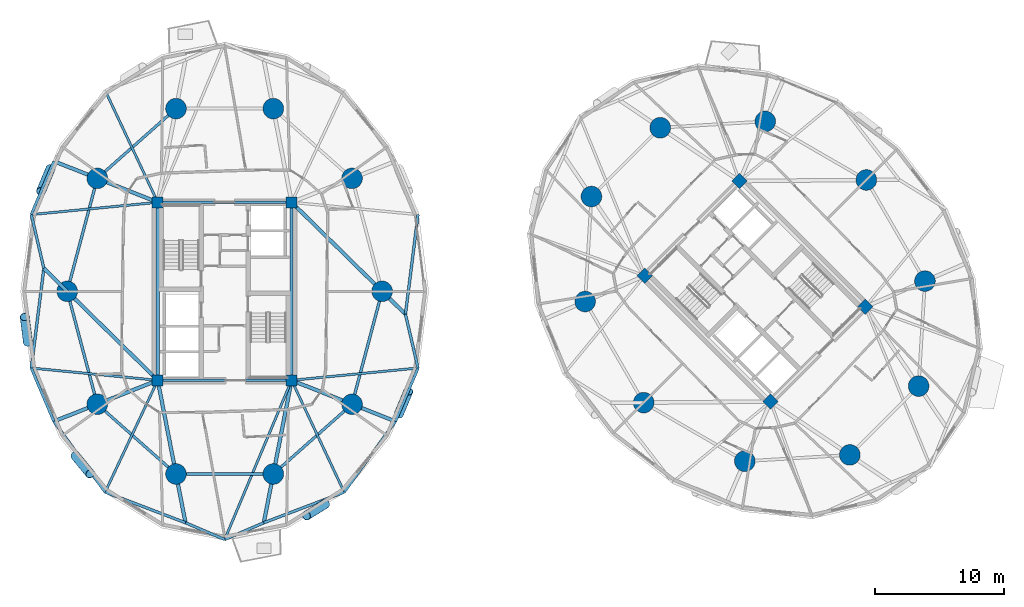
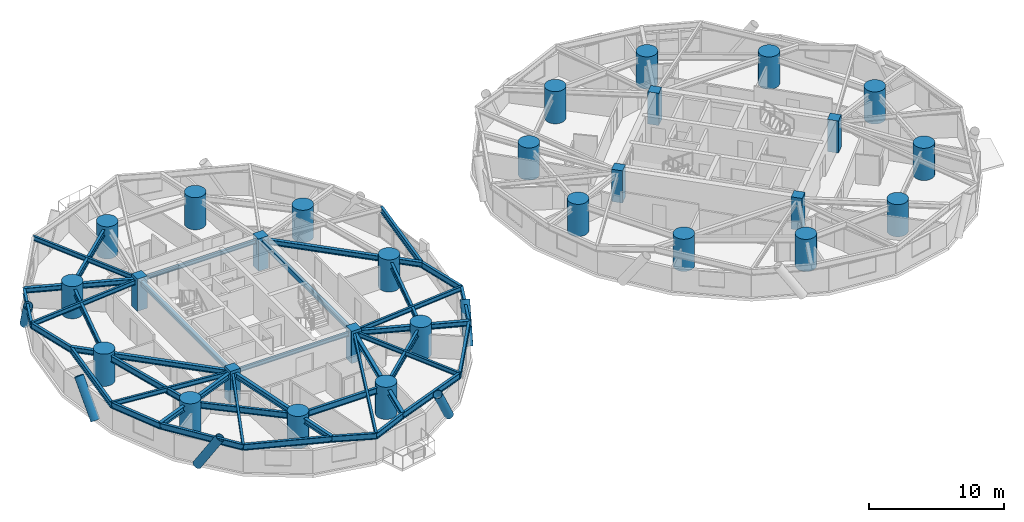
# One storey, part 1 of 19: 39 beams, 28 columns, 5 members.
"""IFC4 building model written with IfcOpenShell, lengths in metres."""

from ifc_helpers import new_model, si_unit, direction, frame, origin, origin_2d, place, context, subcontext, project, spatial, rectangle, hollow_rectangle, circle, hollow_circle, i_section, extrude, material, material_profile, profile_set, type_object, element, save


model = new_model("IFC4")

# Units and contexts
model_context = context("Model", 3, precision=1e-05, world=origin(), true_north=direction((0.0, 1.0)))
body_context = subcontext(model_context, "Body", "Model", "MODEL_VIEW")
ifc_project = project(units=[si_unit("LENGTHUNIT", "METRE"), si_unit("AREAUNIT", "SQUARE_METRE"), si_unit("VOLUMEUNIT", "CUBIC_METRE"), si_unit("PLANEANGLEUNIT", "RADIAN"), si_unit("MASSUNIT", "GRAM", prefix="KILO")], contexts=[model_context])

# Site, building, storey
site_placement = place(None, origin())
site = spatial("IfcSite", under=ifc_project, at=site_placement, CompositionType="ELEMENT")
building_placement = place(site_placement, origin())
building = spatial("IfcBuilding", under=site, at=building_placement, Name="Cununo Teusaquillo Station Towers", CompositionType="ELEMENT")
storey_placement = place(building_placement, frame((0.0, 0.0, 33.639892578125)))
storey = spatial("IfcBuildingStorey", under=building, at=storey_placement, Name="L09", CompositionType="ELEMENT", Elevation=33.639892578125)

# Columns
ifc_material_1 = material(Name="Concrete C50/60", Category="concrete")
ifc_material_profile_1 = material_profile(ifc_material_1, rectangle(XDim=0.85009765625, YDim=0.85009765625, at=origin_2d()), Name="RC-RECT-850x850")
ifc_profile_set_1 = profile_set([ifc_material_profile_1], Name="Concrete C50/60")
column_type_1 = type_object("IfcColumnType", Name="COL-CORE-Z1", PredefinedType="COLUMN", material=ifc_profile_set_1)
for number, where, z_axis, x_axis, name in (
    (1, (11.324951171875, 17.6201171875, 0.0), (0.0, 0.0, 1.0), (1.0, 0.0, 0.0), "L09 Tower A Core Column 1"),
    (2, (11.324951171875, 31.3798828125, 0.0), (0.0, 0.0, 1.0), (1.0, 0.0, 0.0), "L09 Tower A Core Column 2"),
    (3, (21.675048828125, 17.6201171875, 0.0), (0.0, 0.0, 1.0), (1.0, 0.0, 0.0), "L09 Tower A Core Column 3"),
    (4, (21.675048828125, 31.3798828125, 0.0), (0.0, 0.0, 1.0), (1.0, 0.0, 0.0), "L09 Tower A Core Column 4"),
    (5, (58.70556640625, 15.975830078125, 0.0), (0.0, 0.0, 1.0), (0.707106781187, 0.707106781187, 0.0), "L09 Tower B Core Column 1"),
    (6, (48.975830078125, 25.70556640625, 0.0), (0.0, 0.0, 1.0), (0.707106781187, 0.707106781187, 0.0), "L09 Tower B Core Column 2"),
    (7, (66.024169921875, 23.29443359375, 0.0), (0.0, 0.0, 1.0), (0.707106781187, 0.707106781187, 0.0), "L09 Tower B Core Column 3"),
    (8, (56.29443359375, 33.024169921875, 0.0), (0.0, 0.0, 1.0), (0.707106781187, 0.707106781187, 0.0), "L09 Tower B Core Column 4"),
):
    element("IfcColumn", number, at=place(storey_placement, frame(where, z_axis=z_axis, x_axis=x_axis)), inside=storey, type_object=column_type_1, Name=name, PredefinedType="COLUMN", context=body_context, shape_type="SweptSolid", body=[
        extrude(rectangle(XDim=0.85009765625, YDim=0.85009765625, at=origin_2d()), origin(), (0.0, 0.0, 1.0), 2.91015625),
    ])
ifc_material_2 = material(Name="Concrete C60/75", Category="concrete")
ifc_material_profile_2 = material_profile(ifc_material_2, circle(Radius=0.800048828125, at=origin_2d()), Name="RC-CIRC-1600")
ifc_profile_set_2 = profile_set([ifc_material_profile_2], Name="Concrete C60/75")
column_type_2 = type_object("IfcColumnType", Name="COL-MEGA-Z1", PredefinedType="USERDEFINED", material=ifc_profile_set_2)
for number, where, z_axis, x_axis, name in (
    (9, (28.672119140625, 24.5, 0.0), (0.0, 0.0, 1.0), (1.0, 0.0, 0.0), "L09 Tower A Perimeter Column V00"),
    (10, (26.347412109375, 33.228515625, 0.0), (0.0, 0.0, 1.0), (1.0, 0.0, 0.0), "L09 Tower A Perimeter Column V02"),
    (11, (20.261474609375, 38.623291015625, 0.0), (0.0, 0.0, 1.0), (1.0, 0.0, 0.0), "L09 Tower A Perimeter Column V04"),
    (12, (12.738525390625, 38.623291015625, 0.0), (0.0, 0.0, 1.0), (1.0, 0.0, 0.0), "L09 Tower A Perimeter Column V06"),
    (13, (6.652587890625, 33.228515625, 0.0), (0.0, 0.0, 1.0), (1.0, 0.0, 0.0), "L09 Tower A Perimeter Column V08"),
    (14, (4.327880859375, 24.5, 0.0), (0.0, 0.0, 1.0), (1.0, 0.0, 0.0), "L09 Tower A Perimeter Column V10"),
    (15, (6.652587890625, 15.771484375, 0.0), (0.0, 0.0, 1.0), (1.0, 0.0, 0.0), "L09 Tower A Perimeter Column V12"),
    (16, (12.738525390625, 10.376708984375, 0.0), (0.0, 0.0, 1.0), (1.0, 0.0, 0.0), "L09 Tower A Perimeter Column V14"),
    (17, (20.261474609375, 10.376708984375, 0.0), (0.0, 0.0, 1.0), (1.0, 0.0, 0.0), "L09 Tower A Perimeter Column V16"),
    (18, (26.347412109375, 15.771484375, 0.0), (0.0, 0.0, 1.0), (1.0, 0.0, 0.0), "L09 Tower A Perimeter Column V18"),
    (19, (66.10693359375, 33.10693359375, 0.0), (0.0, 0.0, 1.0), (1.0, 0.0, 0.0), "L09 Tower B Perimeter Column V00"),
    (20, (58.291015625, 37.63525390625, 0.0), (0.0, 0.0, 1.0), (1.0, 0.0, 0.0), "L09 Tower B Perimeter Column V02"),
    (21, (50.173095703125, 37.146240234375, 0.0), (0.0, 0.0, 1.0), (1.0, 0.0, 0.0), "L09 Tower B Perimeter Column V04"),
    (22, (44.853759765625, 31.826904296875, 0.0), (0.0, 0.0, 1.0), (1.0, 0.0, 0.0), "L09 Tower B Perimeter Column V06"),
    (23, (44.36474609375, 23.708984375, 0.0), (0.0, 0.0, 1.0), (1.0, 0.0, 0.0), "L09 Tower B Perimeter Column V08"),
    (24, (48.89306640625, 15.89306640625, 0.0), (0.0, 0.0, 1.0), (1.0, 0.0, 0.0), "L09 Tower B Perimeter Column V10"),
    (25, (56.708984375, 11.36474609375, 0.0), (0.0, 0.0, 1.0), (1.0, 0.0, 0.0), "L09 Tower B Perimeter Column V12"),
    (26, (64.826904296875, 11.853759765625, 0.0), (0.0, 0.0, 1.0), (1.0, 0.0, 0.0), "L09 Tower B Perimeter Column V14"),
    (27, (70.146240234375, 17.173095703125, 0.0), (0.0, 0.0, 1.0), (1.0, 0.0, 0.0), "L09 Tower B Perimeter Column V16"),
    (28, (70.63525390625, 25.291015625, 0.0), (0.0, 0.0, 1.0), (1.0, 0.0, 0.0), "L09 Tower B Perimeter Column V18"),
):
    element("IfcColumn", number, at=place(storey_placement, frame(where, z_axis=z_axis, x_axis=x_axis)), inside=storey, type_object=column_type_2, Name=name, ObjectType="MEGA COLUMN", PredefinedType="USERDEFINED", context=body_context, shape_type="SweptSolid", body=[
        extrude(circle(Radius=0.800048828125, at=origin_2d()), origin(), (0.0, 0.0, 1.0), 2.91015625),
    ])

# Beams
ifc_material_3 = material(Name="Steel EN 10025-2 S355J2", Category="steel")
ifc_material_profile_3 = material_profile(ifc_material_3, hollow_rectangle(XDim=0.25, YDim=0.449951171875, WallThickness=0.01611328125, at=origin_2d()), Name="RHS 450x250x16")
ifc_profile_set_3 = profile_set([ifc_material_profile_3], Name="Steel EN 10025-2 S355J2")
beam_type_1 = type_object("IfcBeamType", Name="BM-COUP-1", PredefinedType="USERDEFINED", material=ifc_profile_set_3)
for number, where, z_axis, x_axis, name in (
    (29, (11.324951171875, 17.6201171875, 2.425048828125), (0.0, 1.0, 0.0), (-1.0, 0.0, 0.0), "L09 Tower A Core Beam 1"),
    (30, (21.675048828125, 17.6201171875, 2.425048828125), (0.0, 1.0, 0.0), (-1.0, 0.0, 0.0), "L09 Tower A Core Beam 2"),
):
    element("IfcBeam", number, at=place(storey_placement, frame(where, z_axis=z_axis, x_axis=x_axis)), inside=storey, type_object=beam_type_1, Name=name, ObjectType="COUPLING BEAM", PredefinedType="USERDEFINED", context=body_context, shape_type="SweptSolid", body=[
        extrude(hollow_rectangle(XDim=0.25, YDim=0.449951171875, WallThickness=0.01611328125, at=origin_2d()), origin(), (0.0, 0.0, 1.0), 13.759765625),
    ])
ifc_material_4 = material(Name="Steel ASTM A572 Grade 50", Category="steel")
ifc_material_profile_4 = material_profile(ifc_material_4, i_section(OverallWidth=0.180908203125, OverallDepth=0.4169921875, WebThickness=0.010986328125, FlangeThickness=0.018310546875, FilletRadius=0.012939453125, at=origin_2d()), Name="W16X57")
ifc_profile_set_4 = profile_set([ifc_material_profile_4], Name="Steel ASTM A572 Grade 50")
beam_type_2 = type_object("IfcBeamType", Name="BM-JOIST-1", PredefinedType="JOIST", material=ifc_profile_set_4)
beam_1_placement = place(storey_placement, frame((11.324951171875, 31.3798828125, 2.441650390625), z_axis=(-0.425472080871, 0.904971551155, 0.0), x_axis=(-0.904971551155, -0.425472080871, 0.0)))
element("IfcBeam", 31, at=beam_1_placement, inside=storey, type_object=beam_type_2, Name="L09 Tower A Radial Spandrel Joist V07", PredefinedType="JOIST", context=body_context, shape_type="SweptSolid", body=[
    extrude(i_section(OverallWidth=0.180908203125, OverallDepth=0.4169921875, WebThickness=0.010986328125, FlangeThickness=0.018310546875, FilletRadius=0.012939453125, at=origin_2d()), origin(), (0.0, 0.0, 1.0), 9.552734375),
])
for number, where, z_axis, x_axis, name in (
    (32, (11.324951171875, 31.3798828125, 2.441650390625), (-0.995310719276, -0.096729375545, 0.0), (0.096729375545, -0.995310719276, 0.0), "L09 Tower A Radial Spandrel Joist V09"),
    (33, (11.324951171875, 17.6201171875, 2.441650390625), (-0.995310719276, 0.096729375545, 0.0), (-0.096729375545, -0.995310719276, 0.0), "L09 Tower A Radial Spandrel Joist V11"),
):
    element("IfcBeam", number, at=place(storey_placement, frame(where, z_axis=z_axis, x_axis=x_axis)), inside=storey, type_object=beam_type_2, Name=name, PredefinedType="JOIST", context=body_context, shape_type="SweptSolid", body=[
        extrude(i_section(OverallWidth=0.180908203125, OverallDepth=0.4169921875, WebThickness=0.010986328125, FlangeThickness=0.018310546875, FilletRadius=0.012939453125, at=origin_2d()), origin(), (0.0, 0.0, 1.0), 9.82080078125),
    ])
beam_2_placement = place(storey_placement, frame((11.324951171875, 17.6201171875, 2.441650390625), z_axis=(-0.425472080871, -0.904971551155, 0.0), x_axis=(0.904971551155, -0.425472080871, 0.0)))
element("IfcBeam", 34, at=beam_2_placement, inside=storey, type_object=beam_type_2, Name="L09 Tower A Radial Spandrel Joist V13", PredefinedType="JOIST", context=body_context, shape_type="SweptSolid", body=[
    extrude(i_section(OverallWidth=0.180908203125, OverallDepth=0.4169921875, WebThickness=0.010986328125, FlangeThickness=0.018310546875, FilletRadius=0.012939453125, at=origin_2d()), origin(), (0.0, 0.0, 1.0), 9.552734375),
])
beam_3_placement = place(storey_placement, frame((21.675048828125, 17.6201171875, 2.441650390625), z_axis=(-0.387539558454, -0.92185307432, 0.0), x_axis=(0.92185307432, -0.387539558454, 0.0)))
element("IfcBeam", 35, at=beam_3_placement, inside=storey, type_object=beam_type_2, Name="L09 Tower A Radial Spandrel Joist V15", PredefinedType="JOIST", context=body_context, shape_type="SweptSolid", body=[
    extrude(i_section(OverallWidth=0.180908203125, OverallDepth=0.4169921875, WebThickness=0.010986328125, FlangeThickness=0.018310546875, FilletRadius=0.012939453125, at=origin_2d()), origin(), (0.0, 0.0, 1.0), 13.353515625),
])
beam_4_placement = place(storey_placement, frame((21.675048828125, 17.6201171875, 2.441650390625), z_axis=(0.425472080871, -0.904971551155, 0.0), x_axis=(0.904971551155, 0.425472080871, 0.0)))
element("IfcBeam", 36, at=beam_4_placement, inside=storey, type_object=beam_type_2, Name="L09 Tower A Radial Spandrel Joist V17", PredefinedType="JOIST", context=body_context, shape_type="SweptSolid", body=[
    extrude(i_section(OverallWidth=0.180908203125, OverallDepth=0.4169921875, WebThickness=0.010986328125, FlangeThickness=0.018310546875, FilletRadius=0.012939453125, at=origin_2d()), origin(), (0.0, 0.0, 1.0), 9.552734375),
])
beam_5_placement = place(storey_placement, frame((21.675048828125, 17.6201171875, 2.441650390625), z_axis=(0.995310719276, 0.096729375545, 0.0), x_axis=(-0.096729375545, 0.995310719276, 0.0)))
element("IfcBeam", 37, at=beam_5_placement, inside=storey, type_object=beam_type_2, Name="L09 Tower A Radial Spandrel Joist V19", PredefinedType="JOIST", context=body_context, shape_type="SweptSolid", body=[
    extrude(i_section(OverallWidth=0.180908203125, OverallDepth=0.4169921875, WebThickness=0.010986328125, FlangeThickness=0.018310546875, FilletRadius=0.012939453125, at=origin_2d()), origin(), (0.0, 0.0, 1.0), 9.82080078125),
])
ifc_material_5 = material(Name="Steel ASTM A572 Grade 50", Category="steel")
ifc_material_profile_5 = material_profile(ifc_material_5, i_section(OverallWidth=0.2041015625, OverallDepth=0.35009765625, WebThickness=0.008544921875, FlangeThickness=0.01513671875, FilletRadius=0.011962890625, at=origin_2d()), Name="W14X48")
ifc_profile_set_5 = profile_set([ifc_material_profile_5], Name="Steel ASTM A572 Grade 50")
beam_type_3 = type_object("IfcBeamType", Name="BM-LINTEL-1", PredefinedType="LINTEL", material=ifc_profile_set_5)
for number, where, z_axis, x_axis, name in (
    (38, (11.324951171875, 17.6201171875, 2.47509765625), (1.0, 0.0, 0.0), (0.0, 1.0, 0.0), "L09 Tower A Core Beam 3"),
    (39, (11.324951171875, 31.3798828125, 2.47509765625), (1.0, 0.0, 0.0), (0.0, 1.0, 0.0), "L09 Tower A Core Beam 4"),
):
    element("IfcBeam", number, at=place(storey_placement, frame(where, z_axis=z_axis, x_axis=x_axis)), inside=storey, type_object=beam_type_3, Name=name, PredefinedType="LINTEL", context=body_context, shape_type="SweptSolid", body=[
        extrude(i_section(OverallWidth=0.2041015625, OverallDepth=0.35009765625, WebThickness=0.008544921875, FlangeThickness=0.01513671875, FilletRadius=0.011962890625, at=origin_2d()), origin(), (0.0, 0.0, 1.0), 10.35009765625),
    ])
ifc_material_6 = material(Name="Steel ASTM A572 Grade 50", Category="steel")
ifc_material_profile_6 = material_profile(ifc_material_6, i_section(OverallWidth=0.280029296875, OverallDepth=0.462890625, WebThickness=0.0107421875, FlangeThickness=0.017333984375, FilletRadius=0.013916015625, at=origin_2d()), Name="W18X76")
ifc_profile_set_6 = profile_set([ifc_material_profile_6], Name="Steel ASTM A572 Grade 50")
beam_type_4 = type_object("IfcBeamType", Name="BM-RAD-G1", PredefinedType="BEAM", material=ifc_profile_set_6)
beam_6_placement = place(storey_placement, frame((21.675048828125, 31.3798828125, 2.418701171875), z_axis=(0.713055489462, -0.701107601548, 0.0), x_axis=(0.701107601548, 0.713055489462, 0.0)))
element("IfcBeam", 40, at=beam_6_placement, inside=storey, type_object=beam_type_4, Name="L09 Tower A Continuous Overhanging Radial Girder 01", PredefinedType="BEAM", context=body_context, shape_type="SweptSolid", body=[
    extrude(i_section(OverallWidth=0.280029296875, OverallDepth=0.462890625, WebThickness=0.0107421875, FlangeThickness=0.017333984375, FilletRadius=0.013916015625, at=origin_2d()), origin(), (0.0, 0.0, 1.0), 12.342041015625),
])
beam_7_placement = place(storey_placement, frame((11.324951171875, 31.3798828125, 2.418701171875), z_axis=(-0.929864879908, 0.367901216516, 0.0), x_axis=(-0.367901216516, -0.929864879908, 0.0)))
element("IfcBeam", 41, at=beam_7_placement, inside=storey, type_object=beam_type_4, Name="L09 Tower A Continuous Overhanging Radial Girder 05", PredefinedType="BEAM", context=body_context, shape_type="SweptSolid", body=[
    extrude(i_section(OverallWidth=0.280029296875, OverallDepth=0.462890625, WebThickness=0.0107421875, FlangeThickness=0.017333984375, FilletRadius=0.013916015625, at=origin_2d()), origin(), (0.0, 0.0, 1.0), 8.631591796875),
])
beam_8_placement = place(storey_placement, frame((11.324951171875, 17.6201171875, 2.418701171875), z_axis=(-0.713052701438, 0.701110437073, 0.0), x_axis=(-0.701110437073, -0.713052701438, 0.0)))
element("IfcBeam", 42, at=beam_8_placement, inside=storey, type_object=beam_type_4, Name="L09 Tower A Radial Girder 06A", PredefinedType="BEAM", context=body_context, shape_type="SweptSolid", body=[
    extrude(i_section(OverallWidth=0.280029296875, OverallDepth=0.462890625, WebThickness=0.0107421875, FlangeThickness=0.017333984375, FilletRadius=0.013916015625, at=origin_2d()), origin(), (0.0, 0.0, 1.0), 9.812744140625),
])
beam_9_placement = place(storey_placement, frame((4.327880859375, 24.5, 2.418701171875), z_axis=(-0.713066306507, 0.701096599995, 0.0), x_axis=(-0.701096599995, -0.713066306507, 0.0)))
element("IfcBeam", 43, at=beam_9_placement, inside=storey, type_object=beam_type_4, Name="L09 Tower A Perimeter Overhang Girder 06B", PredefinedType="BEAM", context=body_context, shape_type="SweptSolid", body=[
    extrude(i_section(OverallWidth=0.280029296875, OverallDepth=0.462890625, WebThickness=0.0107421875, FlangeThickness=0.017333984375, FilletRadius=0.013916015625, at=origin_2d()), origin(), (0.0, 0.0, 1.0), 2.529052734375),
])
beam_10_placement = place(storey_placement, frame((11.324951171875, 17.6201171875, 2.418701171875), z_axis=(-0.929864879908, -0.367901216516, 0.0), x_axis=(0.367901216516, -0.929864879908, 0.0)))
element("IfcBeam", 44, at=beam_10_placement, inside=storey, type_object=beam_type_4, Name="L09 Tower A Continuous Overhanging Radial Girder 07", PredefinedType="BEAM", context=body_context, shape_type="SweptSolid", body=[
    extrude(i_section(OverallWidth=0.280029296875, OverallDepth=0.462890625, WebThickness=0.0107421875, FlangeThickness=0.017333984375, FilletRadius=0.013916015625, at=origin_2d()), origin(), (0.0, 0.0, 1.0), 8.631591796875),
])
for number, where, z_axis, x_axis, name in (
    (45, (11.324951171875, 17.6201171875, 2.418701171875), (0.191549210283, -0.981483010571, 0.0), (0.981483010571, 0.191549210283, 0.0), "L09 Tower A Continuous Overhanging Radial Girder 08"),
    (46, (21.675048828125, 17.6201171875, 2.418701171875), (-0.191549210283, -0.981483010571, 0.0), (0.981483010571, -0.191549210283, 0.0), "L09 Tower A Continuous Overhanging Radial Girder 09"),
):
    element("IfcBeam", number, at=place(storey_placement, frame(where, z_axis=z_axis, x_axis=x_axis)), inside=storey, type_object=beam_type_4, Name=name, PredefinedType="BEAM", context=body_context, shape_type="SweptSolid", body=[
        extrude(i_section(OverallWidth=0.280029296875, OverallDepth=0.462890625, WebThickness=0.0107421875, FlangeThickness=0.017333984375, FilletRadius=0.013916015625, at=origin_2d()), origin(), (0.0, 0.0, 1.0), 11.22119140625),
    ])
beam_11_placement = place(storey_placement, frame((21.675048828125, 17.6201171875, 2.418701171875), z_axis=(0.929864879908, -0.367901216516, 0.0), x_axis=(0.367901216516, 0.929864879908, 0.0)))
element("IfcBeam", 47, at=beam_11_placement, inside=storey, type_object=beam_type_4, Name="L09 Tower A Continuous Overhanging Radial Girder 10", PredefinedType="BEAM", context=body_context, shape_type="SweptSolid", body=[
    extrude(i_section(OverallWidth=0.280029296875, OverallDepth=0.462890625, WebThickness=0.0107421875, FlangeThickness=0.017333984375, FilletRadius=0.013916015625, at=origin_2d()), origin(), (0.0, 0.0, 1.0), 8.631591796875),
])
ifc_material_7 = material(Name="Steel ASTM A572 Grade 50", Category="steel")
ifc_material_profile_7 = material_profile(ifc_material_7, i_section(OverallWidth=0.214111328125, OverallDepth=0.549072265625, WebThickness=0.0146484375, FlangeThickness=0.023681640625, FilletRadius=0.014892578125, at=origin_2d()), Name="W21X93")
ifc_profile_set_7 = profile_set([ifc_material_profile_7], Name="Steel ASTM A572 Grade 50")
beam_type_5 = type_object("IfcBeamType", Name="BM-RING-Z1", PredefinedType="SPANDREL", material=ifc_profile_set_7)
beam_12_placement = place(storey_placement, frame((12.738525390625, 38.623291015625, 2.37548828125), z_axis=(-0.74832120039, -0.66333655187, 0.0), x_axis=(0.66333655187, -0.74832120039, 0.0)))
element("IfcBeam", 48, at=beam_12_placement, inside=storey, type_object=beam_type_5, Name="L09 Tower A Structural Column Ring Girder 04", PredefinedType="SPANDREL", context=body_context, shape_type="SweptSolid", body=[
    extrude(i_section(OverallWidth=0.214111328125, OverallDepth=0.549072265625, WebThickness=0.0146484375, FlangeThickness=0.023681640625, FilletRadius=0.014892578125, at=origin_2d()), origin(), (0.0, 0.0, 1.0), 8.1328125),
])
for number, where, z_axis, x_axis, name in (
    (49, (6.652587890625, 33.228515625, 2.37548828125), (-0.257363196347, -0.966314744359, 0.0), (0.966314744359, -0.257363196347, 0.0), "L09 Tower A Structural Column Ring Girder 05"),
    (50, (4.327880859375, 24.5, 2.37548828125), (0.257363196347, -0.966314744359, 0.0), (0.966314744359, 0.257363196347, 0.0), "L09 Tower A Structural Column Ring Girder 06"),
):
    element("IfcBeam", number, at=place(storey_placement, frame(where, z_axis=z_axis, x_axis=x_axis)), inside=storey, type_object=beam_type_5, Name=name, PredefinedType="SPANDREL", context=body_context, shape_type="SweptSolid", body=[
        extrude(i_section(OverallWidth=0.214111328125, OverallDepth=0.549072265625, WebThickness=0.0146484375, FlangeThickness=0.023681640625, FilletRadius=0.014892578125, at=origin_2d()), origin(), (0.0, 0.0, 1.0), 9.03271484375),
    ])
beam_13_placement = place(storey_placement, frame((6.652587890625, 15.771484375, 2.37548828125), z_axis=(0.74832120039, -0.66333655187, 0.0), x_axis=(0.66333655187, 0.74832120039, 0.0)))
element("IfcBeam", 51, at=beam_13_placement, inside=storey, type_object=beam_type_5, Name="L09 Tower A Structural Column Ring Girder 07", PredefinedType="SPANDREL", context=body_context, shape_type="SweptSolid", body=[
    extrude(i_section(OverallWidth=0.214111328125, OverallDepth=0.549072265625, WebThickness=0.0146484375, FlangeThickness=0.023681640625, FilletRadius=0.014892578125, at=origin_2d()), origin(), (0.0, 0.0, 1.0), 8.1328125),
])
beam_14_placement = place(storey_placement, frame((12.738525390625, 10.376708984375, 2.37548828125), z_axis=(1.0, 0.0, 0.0), x_axis=(0.0, 1.0, 0.0)))
element("IfcBeam", 52, at=beam_14_placement, inside=storey, type_object=beam_type_5, Name="L09 Tower A Structural Column Ring Girder 08", PredefinedType="SPANDREL", context=body_context, shape_type="SweptSolid", body=[
    extrude(i_section(OverallWidth=0.214111328125, OverallDepth=0.549072265625, WebThickness=0.0146484375, FlangeThickness=0.023681640625, FilletRadius=0.014892578125, at=origin_2d()), origin(), (0.0, 0.0, 1.0), 7.52294921875),
])
beam_15_placement = place(storey_placement, frame((20.261474609375, 10.376708984375, 2.37548828125), z_axis=(0.74832120039, 0.66333655187, 0.0), x_axis=(-0.66333655187, 0.74832120039, 0.0)))
element("IfcBeam", 53, at=beam_15_placement, inside=storey, type_object=beam_type_5, Name="L09 Tower A Structural Column Ring Girder 09", PredefinedType="SPANDREL", context=body_context, shape_type="SweptSolid", body=[
    extrude(i_section(OverallWidth=0.214111328125, OverallDepth=0.549072265625, WebThickness=0.0146484375, FlangeThickness=0.023681640625, FilletRadius=0.014892578125, at=origin_2d()), origin(), (0.0, 0.0, 1.0), 8.1328125),
])
beam_16_placement = place(storey_placement, frame((26.347412109375, 15.771484375, 2.37548828125), z_axis=(0.257363196347, 0.966314744359, 0.0), x_axis=(-0.966314744359, 0.257363196347, 0.0)))
element("IfcBeam", 54, at=beam_16_placement, inside=storey, type_object=beam_type_5, Name="L09 Tower A Structural Column Ring Girder 10", PredefinedType="SPANDREL", context=body_context, shape_type="SweptSolid", body=[
    extrude(i_section(OverallWidth=0.214111328125, OverallDepth=0.549072265625, WebThickness=0.0146484375, FlangeThickness=0.023681640625, FilletRadius=0.014892578125, at=origin_2d()), origin(), (0.0, 0.0, 1.0), 9.03271484375),
])
beam_17_placement = place(storey_placement, frame((30.4755859375, 22.726806640625, 2.37548828125), z_axis=(0.125458746224, 0.992098837312, 0.0), x_axis=(-0.992098837312, 0.125458746224, 0.0)))
element("IfcBeam", 55, at=beam_17_placement, inside=storey, type_object=beam_type_5, Name="L09 Tower A Spandrel Ring Beam 01", PredefinedType="SPANDREL", context=body_context, shape_type="SweptSolid", body=[
    extrude(i_section(OverallWidth=0.214111328125, OverallDepth=0.549072265625, WebThickness=0.0146484375, FlangeThickness=0.023681640625, FilletRadius=0.014892578125, at=origin_2d()), origin(), (0.0, 0.0, 1.0), 7.764404296875),
])
beam_18_placement = place(storey_placement, frame((3.298828125, 34.555419921875, 2.37548828125), z_axis=(-0.390233589069, -0.920715887754, 0.0), x_axis=(0.920715887754, -0.390233589069, 0.0)))
element("IfcBeam", 56, at=beam_18_placement, inside=storey, type_object=beam_type_5, Name="L09 Tower A Spandrel Ring Beam 09", PredefinedType="SPANDREL", context=body_context, shape_type="SweptSolid", body=[
    extrude(i_section(OverallWidth=0.214111328125, OverallDepth=0.549072265625, WebThickness=0.0146484375, FlangeThickness=0.023681640625, FilletRadius=0.014892578125, at=origin_2d()), origin(), (0.0, 0.0, 1.0), 4.480712890625),
])
beam_19_placement = place(storey_placement, frame((1.55029296875, 30.429931640625, 2.37548828125), z_axis=(0.228165913287, -0.97362226557, 0.0), x_axis=(0.97362226557, 0.228165913287, 0.0)))
element("IfcBeam", 57, at=beam_19_placement, inside=storey, type_object=beam_type_5, Name="L09 Tower A Spandrel Ring Beam 10", PredefinedType="SPANDREL", context=body_context, shape_type="SweptSolid", body=[
    extrude(i_section(OverallWidth=0.214111328125, OverallDepth=0.549072265625, WebThickness=0.0146484375, FlangeThickness=0.023681640625, FilletRadius=0.014892578125, at=origin_2d()), origin(), (0.0, 0.0, 1.0), 4.269287109375),
])
beam_20_placement = place(storey_placement, frame((2.5244140625, 26.273193359375, 2.37548828125), z_axis=(-0.125458746224, -0.992098837312, 0.0), x_axis=(0.992098837312, -0.125458746224, 0.0)))
element("IfcBeam", 58, at=beam_20_placement, inside=storey, type_object=beam_type_5, Name="L09 Tower A Spandrel Ring Beam 11", PredefinedType="SPANDREL", context=body_context, shape_type="SweptSolid", body=[
    extrude(i_section(OverallWidth=0.214111328125, OverallDepth=0.549072265625, WebThickness=0.0146484375, FlangeThickness=0.023681640625, FilletRadius=0.014892578125, at=origin_2d()), origin(), (0.0, 0.0, 1.0), 7.764404296875),
])
beam_21_placement = place(storey_placement, frame((1.55029296875, 18.570068359375, 2.37548828125), z_axis=(0.390233589069, -0.920715887754, 0.0), x_axis=(0.920715887754, 0.390233589069, 0.0)))
element("IfcBeam", 59, at=beam_21_placement, inside=storey, type_object=beam_type_5, Name="L09 Tower A Spandrel Ring Beam 12", PredefinedType="SPANDREL", context=body_context, shape_type="SweptSolid", body=[
    extrude(i_section(OverallWidth=0.214111328125, OverallDepth=0.549072265625, WebThickness=0.0146484375, FlangeThickness=0.023681640625, FilletRadius=0.014892578125, at=origin_2d()), origin(), (0.0, 0.0, 1.0), 4.480712890625),
])
beam_22_placement = place(storey_placement, frame((3.298828125, 14.444580078125, 2.37548828125), z_axis=(0.586607937648, -0.809871056087, 0.0), x_axis=(0.809871056087, 0.586607937648, 0.0)))
element("IfcBeam", 60, at=beam_22_placement, inside=storey, type_object=beam_type_5, Name="L09 Tower A Spandrel Ring Beam 13", PredefinedType="SPANDREL", context=body_context, shape_type="SweptSolid", body=[
    extrude(i_section(OverallWidth=0.214111328125, OverallDepth=0.549072265625, WebThickness=0.0146484375, FlangeThickness=0.023681640625, FilletRadius=0.014892578125, at=origin_2d()), origin(), (0.0, 0.0, 1.0), 6.75341796875),
])
beam_23_placement = place(storey_placement, frame((7.260498046875, 8.97509765625, 2.37548828125), z_axis=(0.934426653529, -0.356155624937, 0.0), x_axis=(0.356155624937, 0.934426653529, 0.0)))
element("IfcBeam", 61, at=beam_23_placement, inside=storey, type_object=beam_type_5, Name="L09 Tower A Spandrel Ring Beam 14", PredefinedType="SPANDREL", context=body_context, shape_type="SweptSolid", body=[
    extrude(i_section(OverallWidth=0.214111328125, OverallDepth=0.549072265625, WebThickness=0.0146484375, FlangeThickness=0.023681640625, FilletRadius=0.014892578125, at=origin_2d()), origin(), (0.0, 0.0, 1.0), 6.64990234375),
])
for number, where, z_axis, x_axis, name in (
    (62, (13.474365234375, 6.606689453125, 2.37548828125), (0.919152702301, -0.393901396104, 0.0), (0.393901396104, 0.919152702301, 0.0), "L09 Tower A Spandrel Ring Beam 15"),
    (63, (16.5, 5.31005859375, 2.37548828125), (0.919152702301, 0.393901396104, 0.0), (-0.393901396104, 0.919152702301, 0.0), "L09 Tower A Spandrel Ring Beam 16"),
):
    element("IfcBeam", number, at=place(storey_placement, frame(where, z_axis=z_axis, x_axis=x_axis)), inside=storey, type_object=beam_type_5, Name=name, PredefinedType="SPANDREL", context=body_context, shape_type="SweptSolid", body=[
        extrude(i_section(OverallWidth=0.214111328125, OverallDepth=0.549072265625, WebThickness=0.0146484375, FlangeThickness=0.023681640625, FilletRadius=0.014892578125, at=origin_2d()), origin(), (0.0, 0.0, 1.0), 3.291748046875),
    ])
beam_24_placement = place(storey_placement, frame((19.525634765625, 6.606689453125, 2.37548828125), z_axis=(0.934426653529, 0.356155624937, 0.0), x_axis=(-0.356155624937, 0.934426653529, 0.0)))
element("IfcBeam", 64, at=beam_24_placement, inside=storey, type_object=beam_type_5, Name="L09 Tower A Spandrel Ring Beam 17", PredefinedType="SPANDREL", context=body_context, shape_type="SweptSolid", body=[
    extrude(i_section(OverallWidth=0.214111328125, OverallDepth=0.549072265625, WebThickness=0.0146484375, FlangeThickness=0.023681640625, FilletRadius=0.014892578125, at=origin_2d()), origin(), (0.0, 0.0, 1.0), 6.64990234375),
])
beam_25_placement = place(storey_placement, frame((25.739501953125, 8.97509765625, 2.37548828125), z_axis=(0.586607937648, 0.809871056087, 0.0), x_axis=(-0.809871056087, 0.586607937648, 0.0)))
element("IfcBeam", 65, at=beam_25_placement, inside=storey, type_object=beam_type_5, Name="L09 Tower A Spandrel Ring Beam 18", PredefinedType="SPANDREL", context=body_context, shape_type="SweptSolid", body=[
    extrude(i_section(OverallWidth=0.214111328125, OverallDepth=0.549072265625, WebThickness=0.0146484375, FlangeThickness=0.023681640625, FilletRadius=0.014892578125, at=origin_2d()), origin(), (0.0, 0.0, 1.0), 6.75341796875),
])
beam_26_placement = place(storey_placement, frame((29.701171875, 14.444580078125, 2.37548828125), z_axis=(0.390233589069, 0.920715887754, 0.0), x_axis=(-0.920715887754, 0.390233589069, 0.0)))
element("IfcBeam", 66, at=beam_26_placement, inside=storey, type_object=beam_type_5, Name="L09 Tower A Spandrel Ring Beam 19", PredefinedType="SPANDREL", context=body_context, shape_type="SweptSolid", body=[
    extrude(i_section(OverallWidth=0.214111328125, OverallDepth=0.549072265625, WebThickness=0.0146484375, FlangeThickness=0.023681640625, FilletRadius=0.014892578125, at=origin_2d()), origin(), (0.0, 0.0, 1.0), 4.480712890625),
])
beam_27_placement = place(storey_placement, frame((31.44970703125, 18.570068359375, 2.37548828125), z_axis=(-0.228165913287, 0.97362226557, 0.0), x_axis=(-0.97362226557, -0.228165913287, 0.0)))
element("IfcBeam", 67, at=beam_27_placement, inside=storey, type_object=beam_type_5, Name="L09 Tower A Spandrel Ring Beam 20", PredefinedType="SPANDREL", context=body_context, shape_type="SweptSolid", body=[
    extrude(i_section(OverallWidth=0.214111328125, OverallDepth=0.549072265625, WebThickness=0.0146484375, FlangeThickness=0.023681640625, FilletRadius=0.014892578125, at=origin_2d()), origin(), (0.0, 0.0, 1.0), 4.269287109375),
])

# Members
ifc_material_8 = material(Name="Steel EN 10025-2 S355J2", Category="steel")
ifc_material_profile_8 = material_profile(ifc_material_8, hollow_circle(Radius=0.360107421875, WallThickness=0.028076171875, at=origin_2d()), Name="CHS 720x28")
ifc_profile_set_8 = profile_set([ifc_material_profile_8], Name="Steel EN 10025-2 S355J2")
member_type = type_object("IfcMemberType", Name="MBR-DIAG-Z1", PredefinedType="BRACE", material=ifc_profile_set_8)
member_1_placement = place(storey_placement, frame((3.038818359375, 33.996337890625, -0.139892578125), z_axis=(-0.213036825729, -0.510505569267, 0.833066248644), x_axis=(0.922867447473, -0.38511774095, 0.0)))
element("IfcMember", 68, at=member_1_placement, inside=storey, type_object=member_type, Name="L09 Tower A Folded-Zigzag Diagrid Tube C08", PredefinedType="BRACE", context=body_context, shape_type="SweptSolid", body=[
    extrude(hollow_circle(Radius=0.360107421875, WallThickness=0.028076171875, at=origin_2d()), origin(), (0.0, 0.0, 1.0), 3.492919921875),
])
member_2_placement = place(storey_placement, frame((1.2939453125, 20.546630859375, -0.139892578125), z_axis=(-0.072749265495, 0.560397767312, 0.82502235531), x_axis=(-0.991678776724, -0.128736955822, 0.0)))
element("IfcMember", 69, at=member_2_placement, inside=storey, type_object=member_type, Name="L09 Tower A Folded-Zigzag Diagrid Tube C10", PredefinedType="BRACE", context=body_context, shape_type="SweptSolid", body=[
    extrude(hollow_circle(Radius=0.360107421875, WallThickness=0.028076171875, at=origin_2d()), origin(), (0.0, 0.0, 1.0), 3.527099609375),
])
member_3_placement = place(storey_placement, frame((4.9423828125, 11.805419921875, -0.139892578125), z_axis=(0.3371828348, -0.41176509234, 0.846615169157), x_axis=(0.773695589224, 0.63355752321, 0.0)))
element("IfcMember", 70, at=member_3_placement, inside=storey, type_object=member_type, Name="L09 Tower A Folded-Zigzag Diagrid Tube C12", PredefinedType="BRACE", context=body_context, shape_type="SweptSolid", body=[
    extrude(hollow_circle(Radius=0.360107421875, WallThickness=0.028076171875, at=origin_2d()), origin(), (0.0, 0.0, 1.0), 3.43701171875),
])
member_4_placement = place(storey_placement, frame((24.27880859375, 8.06640625, -0.139892578125), z_axis=(-0.432109885705, -0.26881380488, 0.86082529295), x_axis=(0.528224584169, -0.849104698303, 0.0)))
element("IfcMember", 71, at=member_4_placement, inside=storey, type_object=member_type, Name="L09 Tower A Folded-Zigzag Diagrid Tube C16", PredefinedType="BRACE", context=body_context, shape_type="SweptSolid", body=[
    extrude(hollow_circle(Radius=0.360107421875, WallThickness=0.028076171875, at=origin_2d()), origin(), (0.0, 0.0, 1.0), 3.38037109375),
])
member_5_placement = place(storey_placement, frame((29.961181640625, 15.003662109375, -0.139892578125), z_axis=(0.213036825729, 0.510505569267, 0.833066248644), x_axis=(-0.922867447473, 0.38511774095, 0.0)))
element("IfcMember", 72, at=member_5_placement, inside=storey, type_object=member_type, Name="L09 Tower A Folded-Zigzag Diagrid Tube C18", PredefinedType="BRACE", context=body_context, shape_type="SweptSolid", body=[
    extrude(hollow_circle(Radius=0.360107421875, WallThickness=0.028076171875, at=origin_2d()), origin(), (0.0, 0.0, 1.0), 3.492919921875),
])

save(model, "model.ifc")
